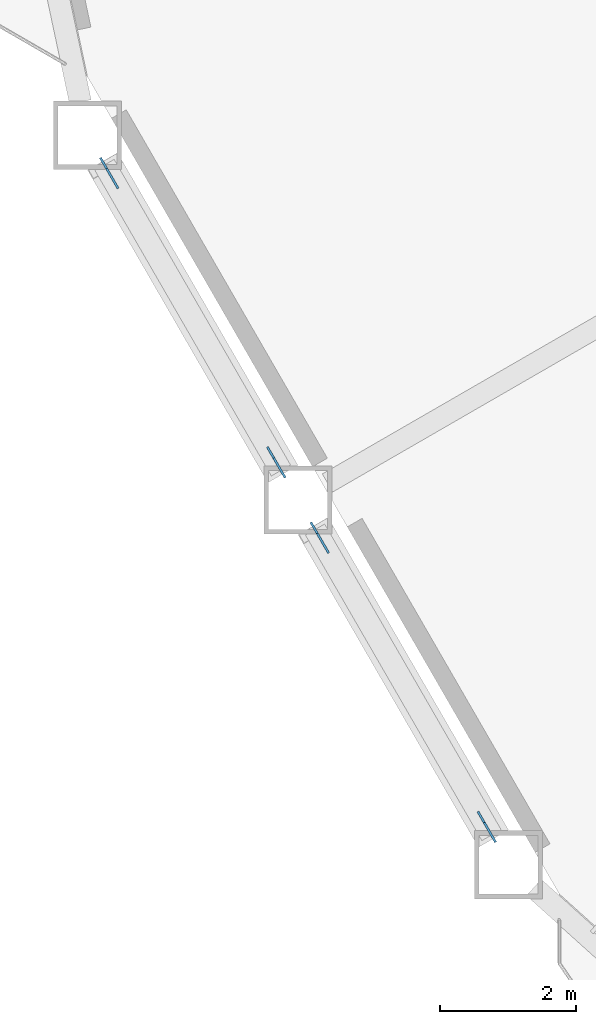
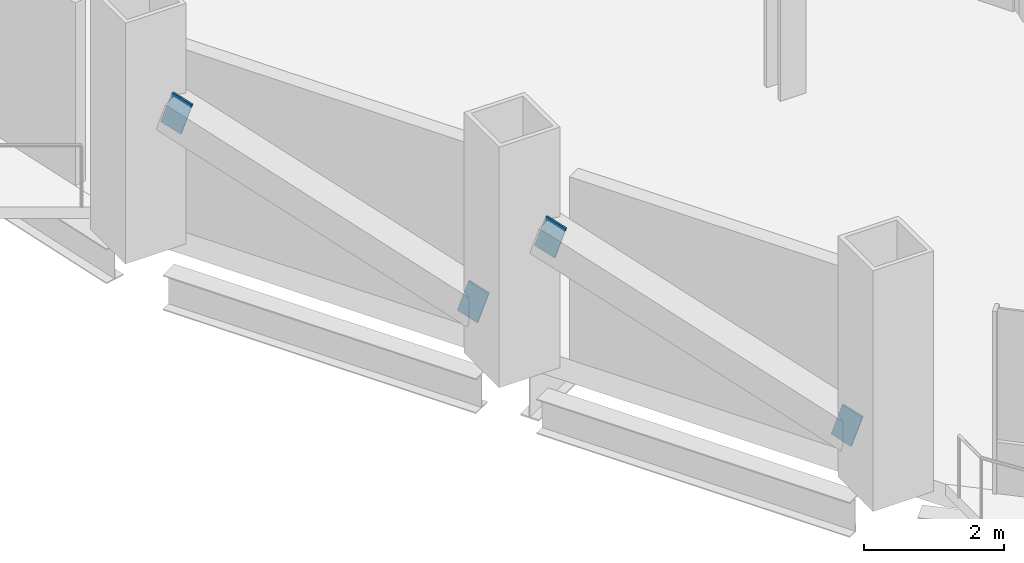
# One storey, part 13 of 20: 4 discrete accessories.
"""IFC4 building model written with IfcOpenShell, lengths in metres."""

from ifc_helpers import new_model, si_unit, direction, frame, origin, origin_2d, place, context, subcontext, project, spatial, rectangle, extrude, material, material_profile, profile_set, type_object, element, save


model = new_model("IFC4")

# Units and contexts
model_context = context("Model", 3, precision=1e-05, world=origin(), true_north=direction((0.0, 1.0)))
body_context = subcontext(model_context, "Body", "Model", "MODEL_VIEW")
ifc_project = project(units=[si_unit("LENGTHUNIT", "METRE"), si_unit("AREAUNIT", "SQUARE_METRE"), si_unit("VOLUMEUNIT", "CUBIC_METRE"), si_unit("PLANEANGLEUNIT", "RADIAN"), si_unit("MASSUNIT", "GRAM", prefix="KILO")], contexts=[model_context])

# Site, building, storey
site_placement = place(None, origin())
site = spatial("IfcSite", under=ifc_project, at=site_placement, CompositionType="ELEMENT")
building_placement = place(site_placement, origin())
building = spatial("IfcBuilding", under=site, at=building_placement, Name="Cormorant Prow Tower", CompositionType="ELEMENT")
storey_placement = place(building_placement, frame((0.0, 0.0, 34.199951171875)))
storey = spatial("IfcBuildingStorey", under=building, at=storey_placement, Name="L06", CompositionType="ELEMENT", Elevation=34.199951171875)

# Discrete accessories
ifc_material = material(Name="Structural steel ASTM A500 Gr C", Category="steel")
ifc_material_profile = material_profile(ifc_material, rectangle(XDim=0.031982421875, YDim=0.60791015625, at=origin_2d()), Name="Gusset plate 32x608")
ifc_profile_set = profile_set([ifc_material_profile], Name="Structural steel ASTM A500 Gr C")
discrete_accessory_type = type_object("IfcDiscreteAccessoryType", Name="Gusset plate 32x608", PredefinedType="BRACKET", material=ifc_profile_set)
discrete_accessory_1_placement = place(storey_placement, frame((-28.3173828125, -15.42041015625, 0.859375), z_axis=(0.476464602218, -0.823872174553, -0.306946449452), x_axis=(0.865660382551, 0.500631703033, 0.0)))
element("IfcDiscreteAccessory", 1, at=discrete_accessory_1_placement, inside=storey, type_object=discrete_accessory_type, Name="Gusset plate GP1 L06.WSW00.g0", PredefinedType="BRACKET", context=body_context, shape_type="SweptSolid", body=[
    extrude(rectangle(XDim=0.031982421875, YDim=0.60791015625, at=origin_2d()), origin(), (0.0, 0.0, 1.0), 0.349853515625),
])
for number, where, z_axis, x_axis, name in (
    (2, (-30.597900390625, -11.47021484375, 2.32958984375), (-0.475651503409, 0.824369614413, 0.306871937683), (-0.866161185697, -0.499764745047, 0.0), "Gusset plate GP1 L06.WSW00.g1"),
    (3, (-25.232421875, -20.763427734375, 0.859375), (0.475651503409, -0.824369614413, -0.306871937683), (0.866161185697, 0.499764745047, 0.0), "Gusset plate GP1 L06.WSW01.g0"),
):
    element("IfcDiscreteAccessory", number, at=place(storey_placement, frame(where, z_axis=z_axis, x_axis=x_axis)), inside=storey, type_object=discrete_accessory_type, Name=name, PredefinedType="BRACKET", context=body_context, shape_type="SweptSolid", body=[
        extrude(rectangle(XDim=0.031982421875, YDim=0.60791015625, at=origin_2d()), origin(), (0.0, 0.0, 1.0), 0.35009765625),
    ])
discrete_accessory_2_placement = place(storey_placement, frame((-27.512939453125, -16.813232421875, 2.32958984375), z_axis=(-0.476464602218, 0.823872174553, 0.306946449452), x_axis=(-0.865660382551, -0.500631703033, 0.0)))
element("IfcDiscreteAccessory", 4, at=discrete_accessory_2_placement, inside=storey, type_object=discrete_accessory_type, Name="Gusset plate GP1 L06.WSW01.g1", PredefinedType="BRACKET", context=body_context, shape_type="SweptSolid", body=[
    extrude(rectangle(XDim=0.031982421875, YDim=0.60791015625, at=origin_2d()), origin(), (0.0, 0.0, 1.0), 0.349853515625),
])

save(model, "model.ifc")
